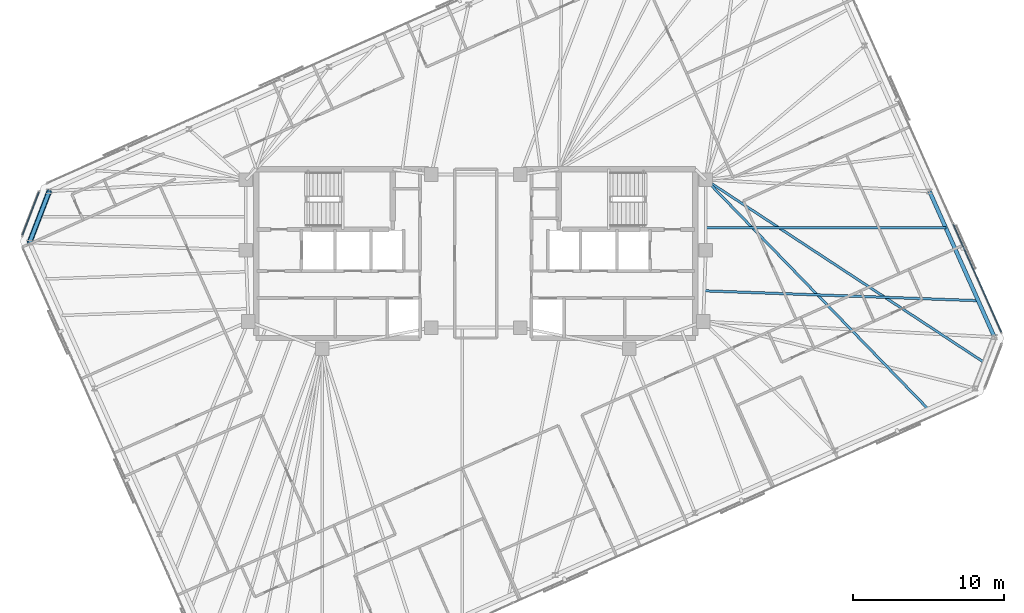
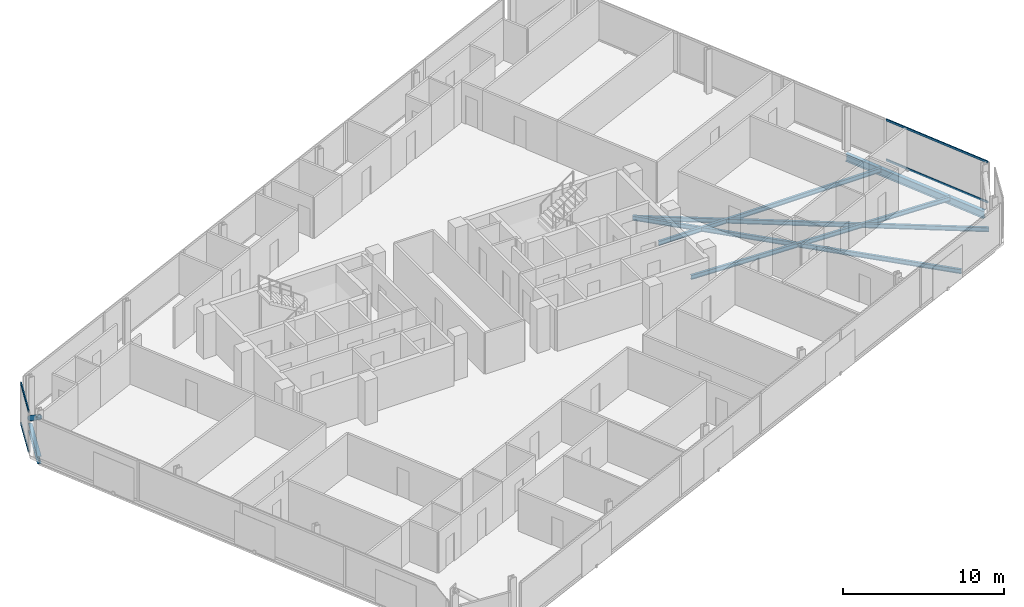
# One storey, part 8 of 18: 6 beams, 5 members, 2 elements without a shape of their own.
"""IFC4 building model written with IfcOpenShell, lengths in metres."""

from ifc_helpers import new_model, si_unit, direction, frame, origin, origin_2d, place, context, subcontext, project, spatial, rectangle, hollow_circle, i_section, extrude, material, material_profile, profile_set, type_object, element, aggregate, save


model = new_model("IFC4")

# Units and contexts
model_context = context("Model", 3, precision=1e-05, world=origin(), true_north=direction((0.0, 1.0)))
body_context = subcontext(model_context, "Body", "Model", "MODEL_VIEW")
ifc_project = project(units=[si_unit("LENGTHUNIT", "METRE"), si_unit("AREAUNIT", "SQUARE_METRE"), si_unit("VOLUMEUNIT", "CUBIC_METRE"), si_unit("PLANEANGLEUNIT", "RADIAN"), si_unit("MASSUNIT", "GRAM", prefix="KILO")], contexts=[model_context])

# Site, building, storey
site_placement = place(None, origin())
site = spatial("IfcSite", under=ifc_project, at=site_placement, CompositionType="ELEMENT")
building_placement = place(site_placement, origin())
building = spatial("IfcBuilding", under=site, at=building_placement, Name="Menara Jurai Vektor", CompositionType="ELEMENT")
storey_placement = place(building_placement, frame((0.0, 0.0, 272.25)))
storey = spatial("IfcBuildingStorey", under=building, at=storey_placement, Name="L73", CompositionType="ELEMENT", Elevation=272.25)

# Curtain wall, members
ifc_material_1 = material(Name="Anodised Pale Aluminium & Low-E Double Glazing", Category="aluminium")
curtain_wall_type = type_object("IfcCurtainWallType", Name="CW-BLK5", PredefinedType="NOTDEFINED", material=ifc_material_1)
curtain_wall_1_placement = place(storey_placement, origin())
curtain_wall_1 = element("IfcCurtainWall", 1, at=curtain_wall_1_placement, inside=storey, type_object=curtain_wall_type, Name="Unitised Curtain Wall L73 F03", PredefinedType="NOTDEFINED")
ifc_material_2 = material(Name="Anodised Pale Aluminium Transom", Category="aluminium")
ifc_material_profile_1 = material_profile(ifc_material_2, rectangle(XDim=0.074951171875, YDim=0.155029296875, at=origin_2d()), Name="ALU TRN 75x155")
ifc_profile_set_1 = profile_set([ifc_material_profile_1], Name="Anodised Pale Aluminium Transom")
member_type_1 = type_object("IfcMemberType", Name="CW-BLK5-TRN", PredefinedType="USERDEFINED", material=ifc_profile_set_1)
member_1_placement = place(storey_placement, frame((34.840087890625, -5.19189453125, 0.03759765625), z_axis=(-0.406739711224, 0.913544091609, 0.0), x_axis=(-0.913544091609, -0.406739711224, 0.0)))
member_1 = element("IfcMember", 2, at=member_1_placement, type_object=member_type_1, Name="CW-05 transom 1.1", ObjectType="TRANSOM", PredefinedType="USERDEFINED", context=body_context, shape_type="SweptSolid", body=[
    extrude(rectangle(XDim=0.074951171875, YDim=0.155029296875, at=origin_2d()), origin(), (0.0, 0.0, 1.0), 7.797607421875),
])
member_2_placement = place(storey_placement, frame((34.840087890625, -5.19189453125, 3.0625), z_axis=(-0.406739711224, 0.913544091609, 0.0), x_axis=(-0.913544091609, -0.406739711224, 0.0)))
member_2 = element("IfcMember", 3, at=member_2_placement, type_object=member_type_1, Name="CW-05 transom 1.2", ObjectType="TRANSOM", PredefinedType="USERDEFINED", context=body_context, shape_type="SweptSolid", body=[
    extrude(rectangle(XDim=0.074951171875, YDim=0.155029296875, at=origin_2d()), origin(), (0.0, 0.0, 1.0), 7.797607421875),
])
aggregate(curtain_wall_1, [member_1, member_2])

curtain_wall_2_placement = place(storey_placement, origin())
curtain_wall_2 = element("IfcCurtainWall", 4, at=curtain_wall_2_placement, inside=storey, type_object=curtain_wall_type, Name="Unitised Curtain Wall L73 F06", PredefinedType="NOTDEFINED")
member_3_placement = place(storey_placement, frame((-28.96923828125, 4.079345703125, 0.03759765625), z_axis=(-0.358324523823, -0.933597094911, 0.0), x_axis=(0.933597094911, -0.358324523823, 0.0)))
member_3 = element("IfcMember", 5, at=member_3_placement, type_object=member_type_1, Name="CW-05 transom 1.1", ObjectType="TRANSOM", PredefinedType="USERDEFINED", context=body_context, shape_type="SweptSolid", body=[
    extrude(rectangle(XDim=0.074951171875, YDim=0.155029296875, at=origin_2d()), origin(), (0.0, 0.0, 1.0), 3.049560546875),
])
member_4_placement = place(storey_placement, frame((-28.96923828125, 4.079345703125, 3.0625), z_axis=(-0.358324523823, -0.933597094911, 0.0), x_axis=(0.933597094911, -0.358324523823, 0.0)))
member_4 = element("IfcMember", 6, at=member_4_placement, type_object=member_type_1, Name="CW-05 transom 1.2", ObjectType="TRANSOM", PredefinedType="USERDEFINED", context=body_context, shape_type="SweptSolid", body=[
    extrude(rectangle(XDim=0.074951171875, YDim=0.155029296875, at=origin_2d()), origin(), (0.0, 0.0, 1.0), 3.049560546875),
])
aggregate(curtain_wall_2, [member_3, member_4])

# Member
ifc_material_3 = material(Name="Steel S460", Category="steel")
ifc_material_profile_2 = material_profile(ifc_material_3, hollow_circle(Radius=0.177734375, WallThickness=0.01611328125, at=origin_2d()), Name="CHS 355.6x16")
ifc_profile_set_2 = profile_set([ifc_material_profile_2], Name="Steel S460")
member_type_2 = type_object("IfcMemberType", Name="STR-BR-356", PredefinedType="BRACE", material=ifc_profile_set_2)
member_5_placement = place(storey_placement, frame((-28.2880859375, 4.1328125, 0.14990234375), z_axis=(-0.291569952404, -0.759501505233, 0.581501871368), x_axis=(0.933570293083, -0.358394346877, 0.0)))
element("IfcMember", 7, at=member_5_placement, inside=storey, type_object=member_type_2, Name="Exoskeleton Corner Brace L73-3", PredefinedType="BRACE", context=body_context, shape_type="SweptSolid", body=[
    extrude(hollow_circle(Radius=0.177734375, WallThickness=0.01611328125, at=origin_2d()), origin(), (0.0, 0.0, 1.0), 4.471435546875),
])

# Beams
ifc_material_4 = material(Name="Steel S355", Category="steel")
ifc_material_profile_3 = material_profile(ifc_material_4, i_section(OverallWidth=0.1650390625, OverallDepth=0.330078125, WebThickness=0.009033203125, FlangeThickness=0.013916015625, at=origin_2d()), Name="PG 330x165x46")
ifc_profile_set_3 = profile_set([ifc_material_profile_3], Name="Steel S355")
beam_type_1 = type_object("IfcBeamType", Name="STR-JS-330", PredefinedType="JOIST", material=ifc_profile_set_3)
beam_1_placement = place(storey_placement, frame((29.996826171875, -10.30908203125, -0.389892578125), z_axis=(-0.696114697983, 0.717930586653, 0.0), x_axis=(-0.717930586653, -0.696114697983, 0.0)))
element("IfcBeam", 8, at=beam_1_placement, inside=storey, type_object=beam_type_1, Name="Radial Secondary Floor Joist L73-JS06", PredefinedType="JOIST", context=body_context, shape_type="SweptSolid", body=[
    extrude(i_section(OverallWidth=0.1650390625, OverallDepth=0.330078125, WebThickness=0.009033203125, FlangeThickness=0.013916015625, at=origin_2d()), origin(), (0.0, 0.0, 1.0), 21.1845703125),
])
beam_2_placement = place(storey_placement, frame((33.739990234375, -7.23486328125, -0.389892578125), z_axis=(-0.836033194478, 0.54867886576, 0.0), x_axis=(-0.54867886576, -0.836033194478, 0.0)))
element("IfcBeam", 9, at=beam_2_placement, inside=storey, type_object=beam_type_1, Name="Radial Secondary Floor Joist L73-JS07", PredefinedType="JOIST", context=body_context, shape_type="SweptSolid", body=[
    extrude(i_section(OverallWidth=0.1650390625, OverallDepth=0.330078125, WebThickness=0.009033203125, FlangeThickness=0.013916015625, at=origin_2d()), origin(), (0.0, 0.0, 1.0), 22.116455078125),
])
beam_3_placement = place(storey_placement, frame((33.315185546875, -3.119384765625, -0.389892578125), z_axis=(-0.999351699571, 0.036002507761, 0.0), x_axis=(-0.036002507761, -0.999351699571, 0.0)))
element("IfcBeam", 10, at=beam_3_placement, inside=storey, type_object=beam_type_1, Name="Radial Secondary Floor Joist L73-JS08", PredefinedType="JOIST", context=body_context, shape_type="SweptSolid", body=[
    extrude(i_section(OverallWidth=0.1650390625, OverallDepth=0.330078125, WebThickness=0.009033203125, FlangeThickness=0.013916015625, at=origin_2d()), origin(), (0.0, 0.0, 1.0), 18.173583984375),
])
beam_4_placement = place(storey_placement, frame((31.16259765625, 1.7158203125, -0.389892578125), z_axis=(-1.0, 0.0, 0.0), x_axis=(0.0, -1.0, 0.0)))
element("IfcBeam", 11, at=beam_4_placement, inside=storey, type_object=beam_type_1, Name="Radial Secondary Floor Joist L73-JS09", PredefinedType="JOIST", context=body_context, shape_type="SweptSolid", body=[
    extrude(i_section(OverallWidth=0.1650390625, OverallDepth=0.330078125, WebThickness=0.009033203125, FlangeThickness=0.013916015625, at=origin_2d()), origin(), (0.0, 0.0, 1.0), 15.91259765625),
])
ifc_material_profile_4 = material_profile(ifc_material_4, i_section(OverallWidth=0.260009765625, OverallDepth=0.570068359375, WebThickness=0.013916015625, FlangeThickness=0.02392578125, at=origin_2d()), Name="PG 570x260x145")
ifc_profile_set_4 = profile_set([ifc_material_profile_4], Name="Steel S355")
beam_type_2 = type_object("IfcBeamType", Name="STR-SP-570", PredefinedType="SPANDREL", material=ifc_profile_set_4)
beam_5_placement = place(storey_placement, frame((34.3916015625, -5.536865234375, -0.510009765625), z_axis=(-0.40673543049, 0.91354599752, 0.0), x_axis=(-0.91354599752, -0.40673543049, 0.0)))
element("IfcBeam", 12, at=beam_5_placement, inside=storey, type_object=beam_type_2, Name="Exoskeleton Spandrel Beam L73-07", PredefinedType="SPANDREL", context=body_context, shape_type="SweptSolid", body=[
    extrude(i_section(OverallWidth=0.260009765625, OverallDepth=0.570068359375, WebThickness=0.013916015625, FlangeThickness=0.02392578125, at=origin_2d()), origin(), (0.0, 0.0, 1.0), 10.585205078125),
])
beam_6_placement = place(storey_placement, frame((-28.2880859375, 4.1328125, -0.510009765625), z_axis=(-0.358394346877, -0.933570293083, 0.0), x_axis=(0.933570293083, -0.358394346877, 0.0)))
element("IfcBeam", 13, at=beam_6_placement, inside=storey, type_object=beam_type_2, Name="Exoskeleton Spandrel Beam L73-16", PredefinedType="SPANDREL", context=body_context, shape_type="SweptSolid", body=[
    extrude(i_section(OverallWidth=0.260009765625, OverallDepth=0.570068359375, WebThickness=0.013916015625, FlangeThickness=0.02392578125, at=origin_2d()), origin(), (0.0, 0.0, 1.0), 3.6376953125),
])

save(model, "model.ifc")
